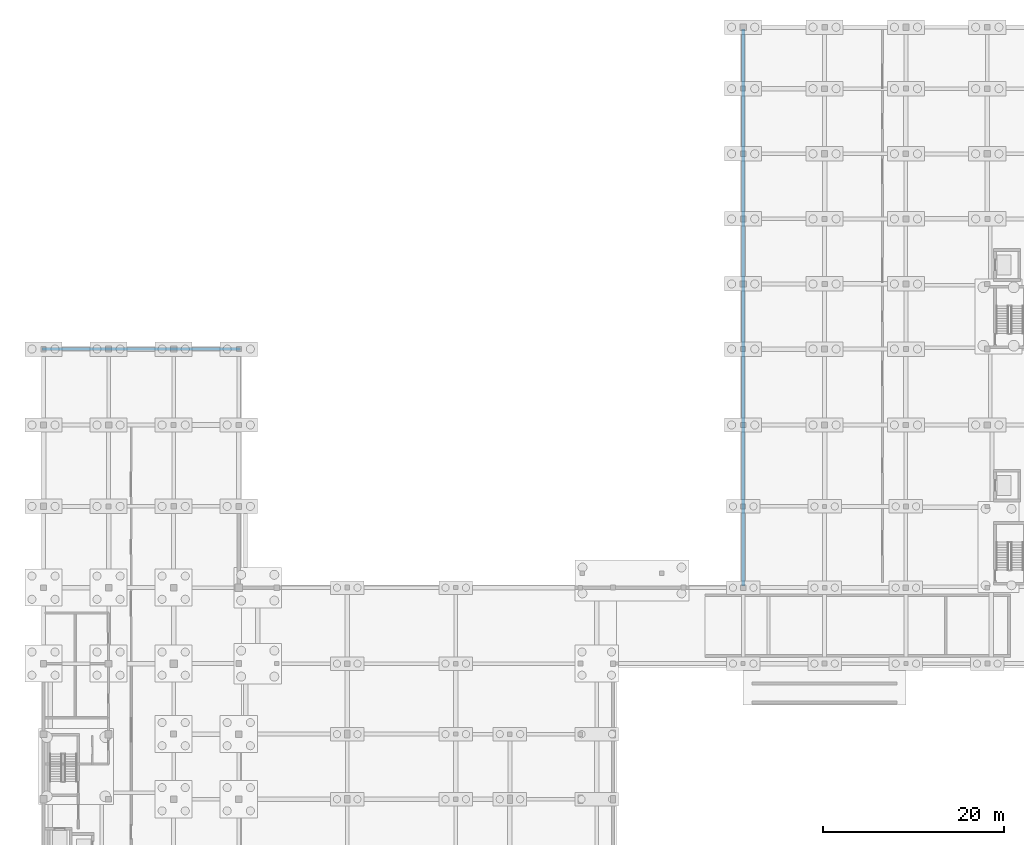
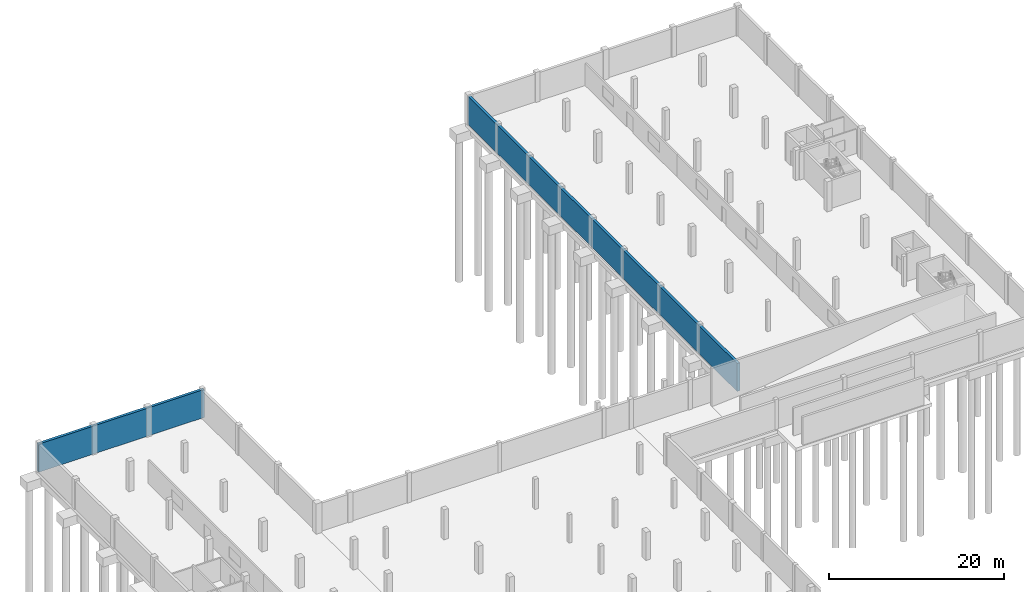
# One storey, part 28 of 34: 2 walls.
"""IFC4 building model written with IfcOpenShell, lengths in metres."""

from ifc_helpers import new_model, si_unit, direction, frame, frame_2d, origin, place, context, subcontext, project, spatial, rectangle, extrude, material, layer, layer_set, type_object, element, save


model = new_model("IFC4")

# Units and contexts
model_context = context("Model", 3, precision=1e-05, world=origin(), true_north=direction((0.0, 1.0)))
body_context = subcontext(model_context, "Body", "Model", "MODEL_VIEW")
ifc_project = project(units=[si_unit("LENGTHUNIT", "METRE"), si_unit("AREAUNIT", "SQUARE_METRE"), si_unit("VOLUMEUNIT", "CUBIC_METRE"), si_unit("PLANEANGLEUNIT", "RADIAN"), si_unit("MASSUNIT", "GRAM", prefix="KILO")], contexts=[model_context])

# Site, building, storey
site_placement = place(None, origin())
site = spatial("IfcSite", under=ifc_project, at=site_placement, CompositionType="ELEMENT")
building_placement = place(site_placement, origin())
building = spatial("IfcBuilding", under=site, at=building_placement, Name="Vinh Khe Railworks Police Headquarters", CompositionType="ELEMENT")
storey_placement = place(building_placement, frame((0.0, 0.0, -4.199951171875)))
storey = spatial("IfcBuildingStorey", under=building, at=storey_placement, Name="B1", CompositionType="ELEMENT", Elevation=-4.199951171875)

# Walls
ifc_material = material(Name="Concrete C40/50 (B40)", Category="concrete")
ifc_layer = layer(ifc_material, 0.35009765625)
ifc_layer_set = layer_set([ifc_layer], Name="Concrete C40/50 (B40)")
wall_type = type_object("IfcWallType", Name="Basement Retaining Wall 350", PredefinedType="USERDEFINED", material=ifc_layer_set)
wall_1_placement = place(storey_placement, frame((78.0, 166.22509765625, 0.0), z_axis=(0.0, 0.0, 1.0), x_axis=(0.0, -1.0, 0.0)))
element("IfcWall", 1, at=wall_1_placement, inside=storey, type_object=wall_type, Name="Basement Retaining Wall 6", ObjectType="RETAININGWALL", PredefinedType="USERDEFINED", context=body_context, shape_type="SweptSolid", body=[
    extrude(rectangle(XDim=61.650146484375, YDim=0.35009765625, at=frame_2d((30.8251953125, 0.0))), origin(), (0.0, 0.0, 1.0), 3.919921875),
])
wall_2_placement = place(storey_placement, frame((22.375, 130.800048828125, 0.0), z_axis=(0.0, 0.0, 1.0), x_axis=(-1.0, 0.0, 0.0)))
element("IfcWall", 2, at=wall_2_placement, inside=storey, type_object=wall_type, Name="Basement Retaining Wall 9", ObjectType="RETAININGWALL", PredefinedType="USERDEFINED", context=body_context, shape_type="SweptSolid", body=[
    extrude(rectangle(XDim=21.949951171875, YDim=0.35009765625, at=frame_2d((10.97509765625, 0.0))), origin(), (0.0, 0.0, 1.0), 3.919921875),
])

save(model, "model.ifc")
